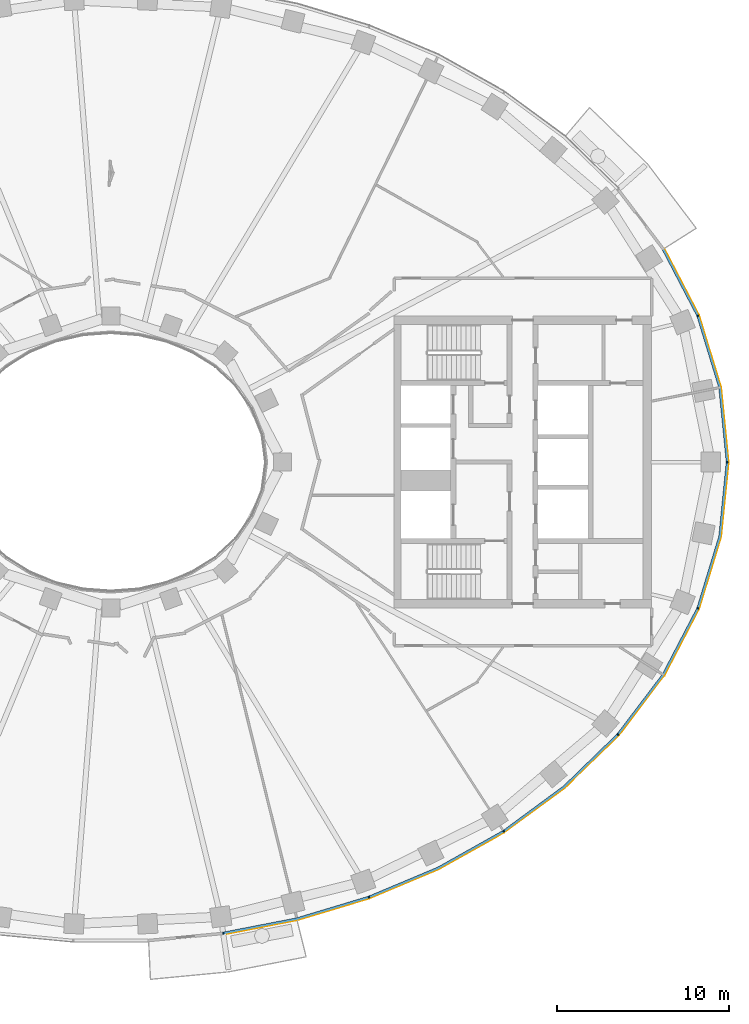
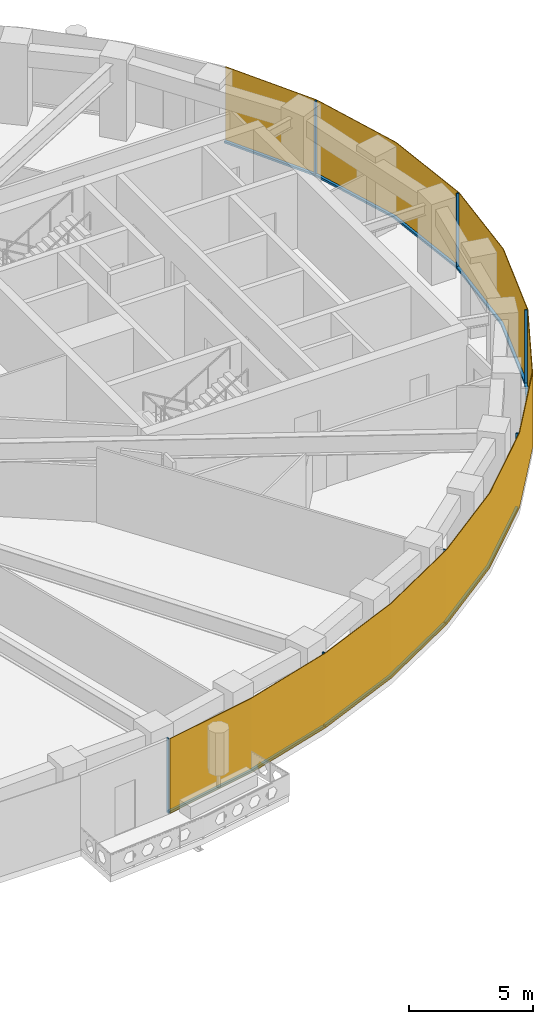
# One storey, part 10 of 16: 14 members, 1 curtain wall.
"""IFC4 building model written with IfcOpenShell, lengths in metres."""

from ifc_helpers import new_model, si_unit, direction, frame, origin, origin_2d, place, context, subcontext, project, spatial, polyline, rectangle, outline, extrude, material, layer, layer_set, material_profile, profile_set, type_object, element, aggregate, save


model = new_model("IFC4")

# Units and contexts
model_context = context("Model", 3, precision=1e-05, world=origin(), true_north=direction((0.0, 1.0)))
body_context = subcontext(model_context, "Body", "Model", "MODEL_VIEW")
ifc_project = project(units=[si_unit("LENGTHUNIT", "METRE"), si_unit("AREAUNIT", "SQUARE_METRE"), si_unit("VOLUMEUNIT", "CUBIC_METRE"), si_unit("PLANEANGLEUNIT", "RADIAN"), si_unit("MASSUNIT", "GRAM", prefix="KILO")], contexts=[model_context])

# Member
ifc_material_1 = material(Name="Aluminium 6063-T6 black anodised", Category="aluminium")
ifc_material_profile = material_profile(ifc_material_1, rectangle(XDim=0.1201171875, YDim=0.06005859375, at=origin_2d()), Name="120x60")
ifc_profile_set = profile_set([ifc_material_profile], Name="Aluminium 6063-T6 black anodised")
member_type_1 = type_object("IfcMemberType", Name="ENV-MULLION-A-120", PredefinedType="MULLION", material=ifc_profile_set)
site_placement = place(None, origin())
building_placement = place(site_placement, origin())
storey_placement = place(building_placement, frame((0.0, 0.0, 186.0)))
member_1_placement = place(storey_placement, frame((6.54638671875, -27.440185546875, 0.0), z_axis=(0.0, 0.0, 1.0), x_axis=(-0.143082012705, 0.989710835366, 0.0)))
member_1 = element("IfcMember", 1, at=member_1_placement, type_object=member_type_1, Name="Mullion A radial 37", PredefinedType="MULLION", context=body_context, shape_type="SweptSolid", body=[
    extrude(rectangle(XDim=0.1201171875, YDim=0.06005859375, at=origin_2d()), origin(), (0.0, 0.0, 1.0), 3.699951171875),
])

member_2_placement = place(storey_placement, frame((15.0341796875, -25.34375, 0.0), z_axis=(0.0, 0.0, 1.0), x_axis=(-0.338379256581, 0.941009818608, 0.0)))
member_2 = element("IfcMember", 2, at=member_2_placement, type_object=member_type_1, Name="Mullion A radial 39", PredefinedType="MULLION", context=body_context, shape_type="SweptSolid", body=[
    extrude(rectangle(XDim=0.1201171875, YDim=0.06005859375, at=origin_2d()), origin(), (0.0, 0.0, 1.0), 3.699951171875),
])

member_3_placement = place(storey_placement, frame((22.882568359375, -21.506591796875, 0.0), z_axis=(0.0, 0.0, 1.0), x_axis=(-0.542279153225, 0.840198381323, 0.0)))
member_3 = element("IfcMember", 3, at=member_3_placement, type_object=member_type_1, Name="Mullion A radial 41", PredefinedType="MULLION", context=body_context, shape_type="SweptSolid", body=[
    extrude(rectangle(XDim=0.1201171875, YDim=0.06005859375, at=origin_2d()), origin(), (0.0, 0.0, 1.0), 3.699951171875),
])

member_4_placement = place(storey_placement, frame((29.53857421875, -15.8671875, 0.0), z_axis=(0.0, 0.0, 1.0), x_axis=(-0.749047221705, 0.662516610853, 0.0)))
member_4 = element("IfcMember", 4, at=member_4_placement, type_object=member_type_1, Name="Mullion A radial 43", PredefinedType="MULLION", context=body_context, shape_type="SweptSolid", body=[
    extrude(rectangle(XDim=0.1201171875, YDim=0.06005859375, at=origin_2d()), origin(), (0.0, 0.0, 1.0), 3.699951171875),
])

member_5_placement = place(storey_placement, frame((34.19580078125, -8.513916015625, 0.0), z_axis=(0.0, 0.0, 1.0), x_axis=(-0.92546738067, 0.378827305398, 0.0)))
member_5 = element("IfcMember", 5, at=member_5_placement, type_object=member_type_1, Name="Mullion A radial 45", PredefinedType="MULLION", context=body_context, shape_type="SweptSolid", body=[
    extrude(rectangle(XDim=0.1201171875, YDim=0.06005859375, at=origin_2d()), origin(), (0.0, 0.0, 1.0), 3.699951171875),
])

member_6_placement = place(storey_placement, frame((35.907958984375, 0.0, 0.0), z_axis=(0.0, 0.0, 1.0), x_axis=(-1.0, 0.0, 0.0)))
member_6 = element("IfcMember", 6, at=member_6_placement, type_object=member_type_1, Name="Mullion A radial 01", PredefinedType="MULLION", context=body_context, shape_type="SweptSolid", body=[
    extrude(rectangle(XDim=0.1201171875, YDim=0.06005859375, at=origin_2d()), origin(), (0.0, 0.0, 1.0), 3.699951171875),
])

member_7_placement = place(storey_placement, frame((34.19580078125, 8.513916015625, 0.0), z_axis=(0.0, 0.0, 1.0), x_axis=(-0.92546738067, -0.378827305398, 0.0)))
member_7 = element("IfcMember", 7, at=member_7_placement, type_object=member_type_1, Name="Mullion A radial 03", PredefinedType="MULLION", context=body_context, shape_type="SweptSolid", body=[
    extrude(rectangle(XDim=0.1201171875, YDim=0.06005859375, at=origin_2d()), origin(), (0.0, 0.0, 1.0), 3.699951171875),
])

ifc_material_2 = material(Name="Aluminium 6063-T6 black anodised", Category="aluminium")
member_type_2 = type_object("IfcMemberType", Name="ENV-TRANSOM-A", PredefinedType="USERDEFINED", material=ifc_material_2)
member_8_placement = place(storey_placement, origin())
member_8 = element("IfcMember", 8, at=member_8_placement, type_object=member_type_2, Name="Transom A radial 37-39", ObjectType="TRANSOM", PredefinedType="USERDEFINED", context=body_context, shape_type="SweptSolid", body=[
    extrude(outline(polyline([(6.58251953125, -27.494140625), (10.857666015625, -26.6630859375), (15.027587890625, -25.408203125), (14.987060546875, -25.295166015625), (10.828857421875, -26.54638671875), (6.5654296875, -27.375244140625), (6.58251953125, -27.494140625)])), origin(), (0.0, 0.0, 1.0), 0.10009765625),
])

member_9_placement = place(storey_placement, origin())
member_9 = element("IfcMember", 9, at=member_9_placement, type_object=member_type_2, Name="Transom A radial 39-41", ObjectType="TRANSOM", PredefinedType="USERDEFINED", context=body_context, shape_type="SweptSolid", body=[
    extrude(outline(polyline([(15.080322265625, -25.389404296875), (19.093994140625, -23.701416015625), (22.890625, -21.570556640625), (22.825439453125, -21.469482421875), (19.041259765625, -23.593505859375), (15.03955078125, -25.276123046875), (15.080322265625, -25.389404296875)])), origin(), (0.0, 0.0, 1.0), 0.10009765625),
])

member_10_placement = place(storey_placement, origin())
member_10 = element("IfcMember", 10, at=member_10_placement, type_object=member_type_2, Name="Transom A radial 41-43", ObjectType="TRANSOM", PredefinedType="USERDEFINED", context=body_context, shape_type="SweptSolid", body=[
    extrude(outline(polyline([(22.937744140625, -21.540283203125), (26.4423828125, -18.958740234375), (29.5634765625, -15.926513671875), (29.473388671875, -15.8466796875), (26.364501953125, -18.866943359375), (22.87255859375, -21.439208984375), (22.937744140625, -21.540283203125)])), origin(), (0.0, 0.0, 1.0), 0.10009765625),
])

member_11_placement = place(storey_placement, origin())
member_11 = element("IfcMember", 11, at=member_11_placement, type_object=member_type_2, Name="Transom A radial 43-45", ObjectType="TRANSOM", PredefinedType="USERDEFINED", context=body_context, shape_type="SweptSolid", body=[
    extrude(outline(polyline([(29.6005859375, -15.884521484375), (32.22802734375, -12.41748046875), (34.23828125, -8.5615234375), (34.126708984375, -8.515869140625), (32.126220703125, -12.35302734375), (29.51025390625, -15.8046875), (29.6005859375, -15.884521484375)])), origin(), (0.0, 0.0, 1.0), 0.10009765625),
])

member_12_placement = place(storey_placement, origin())
member_12 = element("IfcMember", 12, at=member_12_placement, type_object=member_type_2, Name="Transom A radial 45-01", ObjectType="TRANSOM", PredefinedType="USERDEFINED", context=body_context, shape_type="SweptSolid", body=[
    extrude(outline(polyline([(34.259521484375, -8.509765625), (35.529541015625, -4.352294921875), (35.965087890625, -0.02783203125), (35.844482421875, -0.02783203125), (35.411376953125, -4.32861328125), (34.14794921875, -8.464111328125), (34.259521484375, -8.509765625)])), origin(), (0.0, 0.0, 1.0), 0.10009765625),
])

member_13_placement = place(storey_placement, origin())
member_13 = element("IfcMember", 13, at=member_13_placement, type_object=member_type_2, Name="Transom A radial 01-03", ObjectType="TRANSOM", PredefinedType="USERDEFINED", context=body_context, shape_type="SweptSolid", body=[
    extrude(outline(polyline([(35.965087890625, 0.02783203125), (35.529541015625, 4.352294921875), (34.259521484375, 8.509765625), (34.14794921875, 8.464111328125), (35.411376953125, 4.32861328125), (35.844482421875, 0.02783203125), (35.965087890625, 0.02783203125)])), origin(), (0.0, 0.0, 1.0), 0.10009765625),
])

member_14_placement = place(storey_placement, origin())
member_14 = element("IfcMember", 14, at=member_14_placement, type_object=member_type_2, Name="Transom A radial 03-04", ObjectType="TRANSOM", PredefinedType="USERDEFINED", context=body_context, shape_type="SweptSolid", body=[
    extrude(outline(polyline([(34.23828125, 8.5615234375), (32.2373046875, 12.39990234375), (32.135498046875, 12.33544921875), (34.126708984375, 8.515869140625), (34.23828125, 8.5615234375)])), origin(), (0.0, 0.0, 1.0), 0.10009765625),
])

# Site, building, storey
site = spatial("IfcSite", under=ifc_project, at=site_placement, CompositionType="ELEMENT")
building = spatial("IfcBuilding", under=site, at=building_placement, Name="Noorbagh Ring Tower", CompositionType="ELEMENT")
storey = spatial("IfcBuildingStorey", under=building, at=storey_placement, Name="L43", CompositionType="ELEMENT", Elevation=186.0)

# Curtain wall
ifc_material_3 = material(Name="Glass dark tinted laminated", Category="glass")
ifc_layer = layer(ifc_material_3, 0.031982421875)
ifc_layer_set = layer_set([ifc_layer], Name="Glass dark tinted laminated")
curtain_wall_type = type_object("IfcCurtainWallType", Name="ENV-CW-A", PredefinedType="NOTDEFINED", material=ifc_layer_set)
curtain_wall_placement = place(storey_placement, origin())
curtain_wall = element("IfcCurtainWall", 15, at=curtain_wall_placement, inside=storey, type_object=curtain_wall_type, Name="Curtain wall A R37", PredefinedType="NOTDEFINED", context=body_context, shape_type="SweptSolid", body=[
    extrude(outline(polyline([(6.579345703125, -27.52734375), (10.865234375, -26.6943359375), (15.065185546875, -25.430419921875), (19.108154296875, -23.730224609375), (22.9326171875, -21.583740234375), (26.463134765625, -18.9833984375), (29.607666015625, -15.927978515625), (32.255126953125, -12.434814453125), (34.281005859375, -8.548828125), (35.561279296875, -4.358642578125), (36.0, 0.0), (35.561279296875, 4.358642578125), (34.281005859375, 8.548828125), (32.264404296875, 12.4169921875), (32.2373046875, 12.39990234375), (34.251220703125, 8.53662109375), (35.529541015625, 4.352294921875), (35.9677734375, 0.0), (35.529541015625, -4.352294921875), (34.251220703125, -8.53662109375), (32.22802734375, -12.41748046875), (29.58349609375, -15.906982421875), (26.4423828125, -18.958740234375), (22.9150390625, -21.556884765625), (19.093994140625, -23.701416015625), (15.054443359375, -25.400146484375), (10.857666015625, -26.6630859375), (6.57470703125, -27.49560546875), (6.579345703125, -27.52734375)])), origin(), (0.0, 0.0, 1.0), 3.699951171875),
])

aggregate(curtain_wall, [member_1, member_2, member_3, member_4, member_5, member_6, member_7, member_8, member_9, member_10, member_11, member_12, member_13, member_14])

save(model, "model.ifc")
